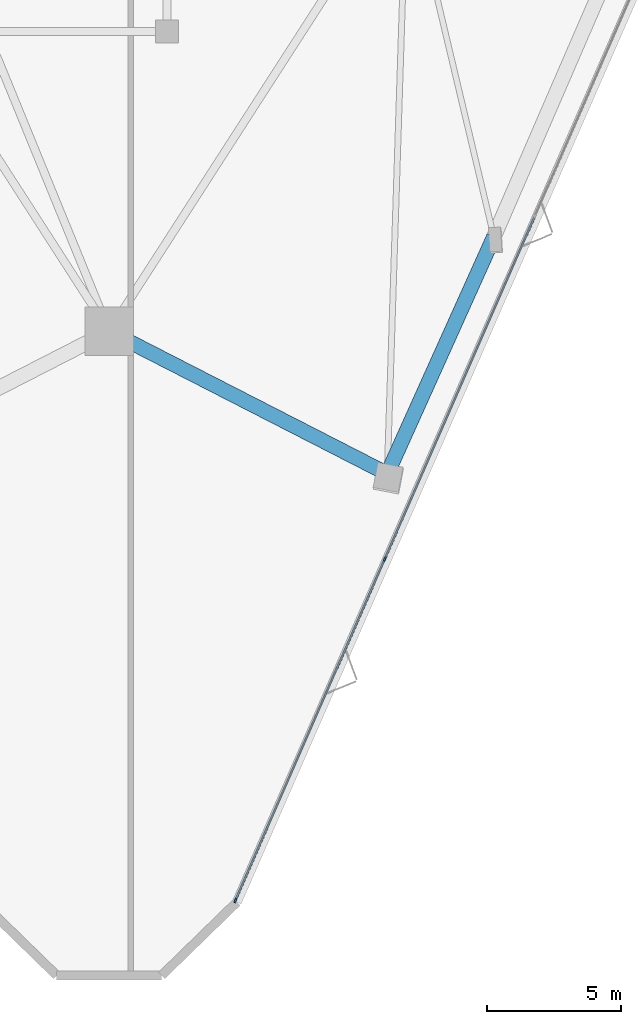
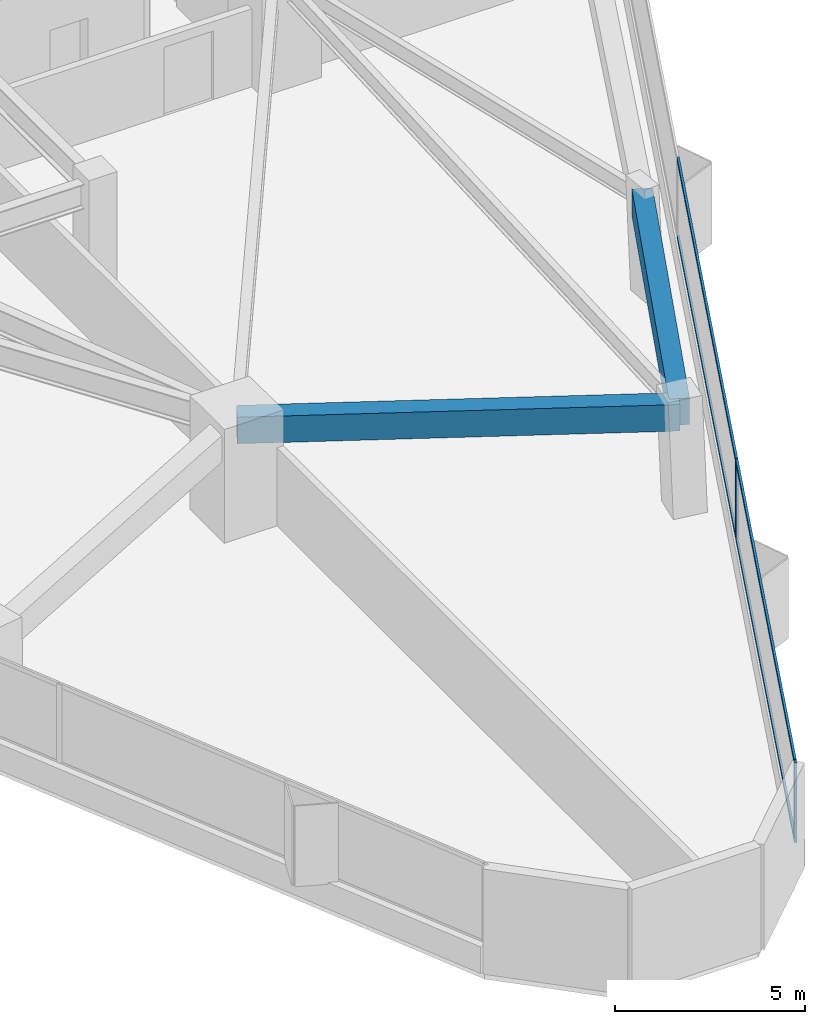
# One storey, part 4 of 20: 6 members, 2 beams, 1 element without a shape of its own.
"""IFC4 building model written with IfcOpenShell, lengths in metres."""

from ifc_helpers import new_model, si_unit, direction, frame, origin, origin_2d, place, context, subcontext, project, spatial, rectangle, extrude, material, layer, layer_set, material_profile, profile_set, type_object, element, aggregate, save


model = new_model("IFC4")

# Units and contexts
model_context = context("Model", 3, precision=1e-05, world=origin(), true_north=direction((0.0, 1.0)))
body_context = subcontext(model_context, "Body", "Model", "MODEL_VIEW")
ifc_project = project(units=[si_unit("LENGTHUNIT", "METRE"), si_unit("AREAUNIT", "SQUARE_METRE"), si_unit("VOLUMEUNIT", "CUBIC_METRE"), si_unit("PLANEANGLEUNIT", "RADIAN"), si_unit("MASSUNIT", "GRAM", prefix="KILO")], contexts=[model_context])

# Site, building, storey
site_placement = place(None, origin())
site = spatial("IfcSite", under=ifc_project, at=site_placement, CompositionType="ELEMENT")
building_placement = place(site_placement, origin())
building = spatial("IfcBuilding", under=site, at=building_placement, Name="Talyreon Biosciences Tower", CompositionType="ELEMENT")
storey_placement = place(building_placement, frame((0.0, 0.0, 59.300048828125)))
storey = spatial("IfcBuildingStorey", under=building, at=storey_placement, Name="L15", CompositionType="ELEMENT", Elevation=59.300048828125)

# Curtain wall, members
ifc_material_1 = material(Name="Thermally broken aluminium and low-E glazing", Category="aluminium")
ifc_layer = layer(ifc_material_1, 0.195068359375)
ifc_layer_set = layer_set([ifc_layer], Name="Thermally broken aluminium and low-E glazing")
curtain_wall_type = type_object("IfcCurtainWallType", Name="CurtainWall_Zone1WetLab", PredefinedType="NOTDEFINED", material=ifc_layer_set)
curtain_wall_placement = place(storey_placement, origin())
curtain_wall = element("IfcCurtainWall", 1, at=curtain_wall_placement, inside=storey, type_object=curtain_wall_type, Name="L15 Unitised Curtain Wall FCW-L15-08", PredefinedType="NOTDEFINED")
ifc_material_2 = material(Name="Anodised thermally broken aluminium", Category="aluminium")
ifc_material_profile_1 = material_profile(ifc_material_2, rectangle(XDim=0.06494140625, YDim=0.179931640625, at=origin_2d()), Name="ALUM MULLION 65x180")
ifc_profile_set_1 = profile_set([ifc_material_profile_1], Name="Anodised thermally broken aluminium")
member_type_1 = type_object("IfcMemberType", Name="CWMullion_65x180", PredefinedType="MULLION", material=ifc_profile_set_1)
member_1_placement = place(storey_placement, frame((76.2734375, 33.17822265625, 0.81005859375), z_axis=(0.0, 0.0, 1.0), x_axis=(0.916092182361, -0.400967721165, 0.0)))
member_1 = element("IfcMember", 2, at=member_1_placement, type_object=member_type_1, Name="CW2 mullion 5", PredefinedType="MULLION", context=body_context, shape_type="SweptSolid", body=[
    extrude(rectangle(XDim=0.06494140625, YDim=0.179931640625, at=origin_2d()), origin(), (0.0, 0.0, 1.0), 2.56494140625),
])
member_2_placement = place(storey_placement, frame((70.703369140625, 20.452392578125, 0.81005859375), z_axis=(0.0, 0.0, 1.0), x_axis=(0.916092182361, -0.400967721165, 0.0)))
member_2 = element("IfcMember", 3, at=member_2_placement, type_object=member_type_1, Name="CW2 mullion 6", PredefinedType="MULLION", context=body_context, shape_type="SweptSolid", body=[
    extrude(rectangle(XDim=0.06494140625, YDim=0.179931640625, at=origin_2d()), origin(), (0.0, 0.0, 1.0), 2.56494140625),
])
ifc_material_profile_2 = material_profile(ifc_material_2, rectangle(XDim=0.06494140625, YDim=0.139892578125, at=origin_2d()), Name="ALUM TRANSOM 65x140")
ifc_profile_set_2 = profile_set([ifc_material_profile_2], Name="Anodised thermally broken aluminium")
member_type_2 = type_object("IfcMemberType", Name="CWTransom_65x140", PredefinedType="USERDEFINED", material=ifc_profile_set_2)
member_3_placement = place(storey_placement, frame((81.843505859375, 45.904052734375, 0.842529296875), z_axis=(-0.400962068949, -0.916094656279, 0.0), x_axis=(0.916094656279, -0.400962068949, 0.0)))
member_3 = element("IfcMember", 4, at=member_3_placement, type_object=member_type_2, Name="CW2 transom 4.1", ObjectType="TRANSOM", PredefinedType="USERDEFINED", context=body_context, shape_type="SweptSolid", body=[
    extrude(rectangle(XDim=0.06494140625, YDim=0.139892578125, at=origin_2d()), origin(), (0.0, 0.0, 1.0), 13.85888671875),
])
member_4_placement = place(storey_placement, frame((81.843505859375, 45.904052734375, 3.342529296875), z_axis=(-0.400962068949, -0.916094656279, 0.0), x_axis=(0.916094656279, -0.400962068949, 0.0)))
member_4 = element("IfcMember", 5, at=member_4_placement, type_object=member_type_2, Name="CW2 transom 4.2", ObjectType="TRANSOM", PredefinedType="USERDEFINED", context=body_context, shape_type="SweptSolid", body=[
    extrude(rectangle(XDim=0.06494140625, YDim=0.139892578125, at=origin_2d()), origin(), (0.0, 0.0, 1.0), 13.85888671875),
])
member_5_placement = place(storey_placement, frame((76.260498046875, 33.1484375, 0.842529296875), z_axis=(-0.400961476813, -0.916094915449, 0.0), x_axis=(0.916094915449, -0.400961476813, 0.0)))
member_5 = element("IfcMember", 6, at=member_5_placement, type_object=member_type_2, Name="CW2 transom 5.1", ObjectType="TRANSOM", PredefinedType="USERDEFINED", context=body_context, shape_type="SweptSolid", body=[
    extrude(rectangle(XDim=0.06494140625, YDim=0.139892578125, at=origin_2d()), origin(), (0.0, 0.0, 1.0), 13.82666015625),
])
member_6_placement = place(storey_placement, frame((76.260498046875, 33.1484375, 3.342529296875), z_axis=(-0.400961476813, -0.916094915449, 0.0), x_axis=(0.916094915449, -0.400961476813, 0.0)))
member_6 = element("IfcMember", 7, at=member_6_placement, type_object=member_type_2, Name="CW2 transom 5.2", ObjectType="TRANSOM", PredefinedType="USERDEFINED", context=body_context, shape_type="SweptSolid", body=[
    extrude(rectangle(XDim=0.06494140625, YDim=0.139892578125, at=origin_2d()), origin(), (0.0, 0.0, 1.0), 13.82666015625),
])
aggregate(curtain_wall, [member_1, member_2, member_3, member_4, member_5, member_6])

# Beams
ifc_material_3 = material(Name="Precast concrete C45/55", Category="concrete")
ifc_material_profile_3 = material_profile(ifc_material_3, rectangle(XDim=0.550048828125, YDim=0.85009765625, at=origin_2d()), Name="RCB 550x850")
ifc_profile_set_3 = profile_set([ifc_material_profile_3], Name="Precast concrete C45/55")
beam_type = type_object("IfcBeamType", Name="ExpressedSpandrel_550x850", PredefinedType="SPANDREL", material=ifc_profile_set_3)
beam_1_placement = place(storey_placement, frame((66.0, 41.6669921875, 2.949951171875), z_axis=(0.890007055334, -0.455946752873, 0.0), x_axis=(0.455946752873, 0.890007055334, 0.0)))
element("IfcBeam", 8, at=beam_1_placement, inside=storey, type_object=beam_type, Name="L15 Expressed Horizontal Concrete Spandrel 01", PredefinedType="SPANDREL", context=body_context, shape_type="SweptSolid", body=[
    extrude(rectangle(XDim=0.550048828125, YDim=0.85009765625, at=origin_2d()), origin(), (0.0, 0.0, 1.0), 11.645751953125),
])
beam_2_placement = place(storey_placement, frame((76.36474609375, 36.357177734375, 2.949951171875), z_axis=(0.410361532101, 0.911922920521, 0.0), x_axis=(-0.911922920521, 0.410361532101, 0.0)))
element("IfcBeam", 9, at=beam_2_placement, inside=storey, type_object=beam_type, Name="L15 Expressed Horizontal Concrete Spandrel 02", PredefinedType="SPANDREL", context=body_context, shape_type="SweptSolid", body=[
    extrude(rectangle(XDim=0.550048828125, YDim=0.85009765625, at=origin_2d()), origin(), (0.0, 0.0, 1.0), 9.6826171875),
])

save(model, "model.ifc")
